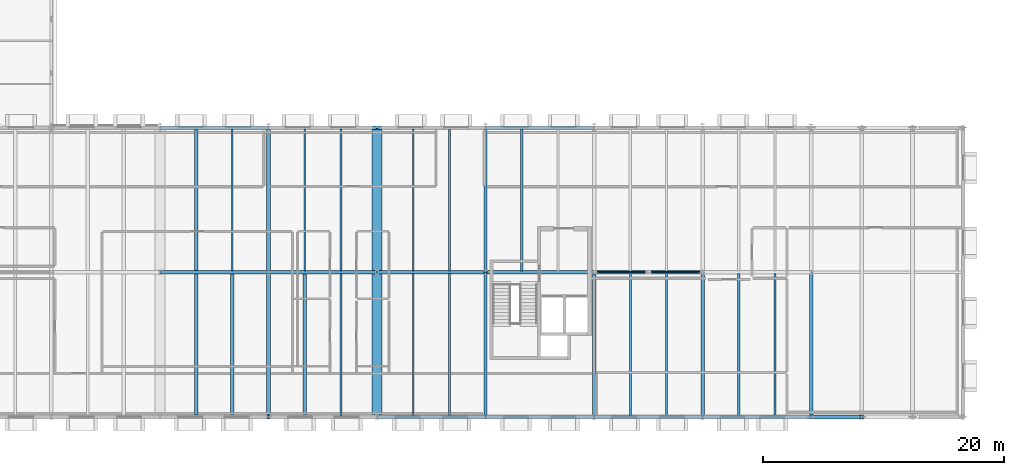
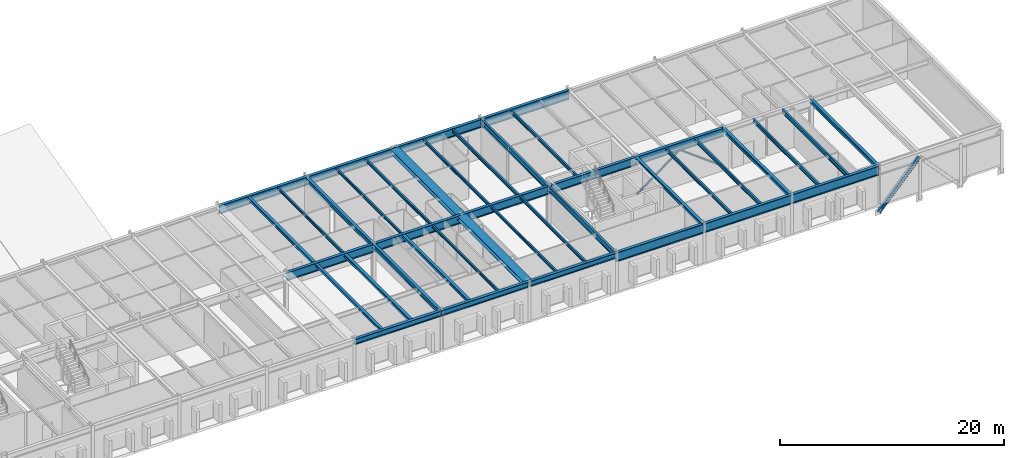
# One storey, part 18 of 67: 41 beams, 3 members.
"""IFC4 building model written with IfcOpenShell, lengths in metres."""

from ifc_helpers import new_model, si_unit, direction, frame, origin, origin_2d, place, context, subcontext, project, spatial, hollow_circle, i_section, extrude, material, material_profile, profile_set, type_object, element, save


model = new_model("IFC4")

# Units and contexts
model_context = context("Model", 3, precision=1e-05, world=origin(), true_north=direction((0.0, 1.0)))
body_context = subcontext(model_context, "Body", "Model", "MODEL_VIEW")
ifc_project = project(units=[si_unit("LENGTHUNIT", "METRE"), si_unit("AREAUNIT", "SQUARE_METRE"), si_unit("VOLUMEUNIT", "CUBIC_METRE"), si_unit("PLANEANGLEUNIT", "RADIAN"), si_unit("MASSUNIT", "GRAM", prefix="KILO")], contexts=[model_context])

# Site, building, storey
site_placement = place(None, origin())
site = spatial("IfcSite", under=ifc_project, at=site_placement, CompositionType="ELEMENT")
building_placement = place(site_placement, origin())
building = spatial("IfcBuilding", under=site, at=building_placement, Name="Montelvaro Courts of Justice", CompositionType="ELEMENT")
storey_placement = place(building_placement, frame((0.0, 0.0, 18.89990234375)))
storey = spatial("IfcBuildingStorey", under=building, at=storey_placement, Name="L04", CompositionType="ELEMENT", Elevation=18.89990234375)

# Beams
ifc_material = material(Name="Steel S355", Category="steel")
ifc_material_profile_1 = material_profile(ifc_material, i_section(OverallWidth=0.280029296875, OverallDepth=0.27001953125, WebThickness=0.008056640625, FlangeThickness=0.012939453125, at=origin_2d()), Name="HEA 280")
ifc_profile_set_1 = profile_set([ifc_material_profile_1], Name="Steel S355")
beam_type_1 = type_object("IfcBeamType", Name="Beam_HEA280", PredefinedType="BEAM", material=ifc_profile_set_1)
beam_1_placement = place(storey_placement, frame((84.0, 0.110107421875, 4.125), z_axis=(0.0, 1.0, 0.0), x_axis=(-1.0, 0.0, 0.0)))
element("IfcBeam", 1, at=beam_1_placement, inside=storey, type_object=beam_type_1, Name="Beam B-14 L04", PredefinedType="BEAM", context=body_context, shape_type="SweptSolid", body=[
    extrude(i_section(OverallWidth=0.280029296875, OverallDepth=0.27001953125, WebThickness=0.008056640625, FlangeThickness=0.012939453125, at=origin_2d()), origin(), (0.0, 0.0, 1.0), 11.77978515625),
])
ifc_material_profile_2 = material_profile(ifc_material, i_section(OverallWidth=0.300048828125, OverallDepth=0.31005859375, WebThickness=0.009033203125, FlangeThickness=0.015380859375, at=origin_2d()), Name="HEA 320")
ifc_profile_set_2 = profile_set([ifc_material_profile_2], Name="Steel S355")
beam_type_2 = type_object("IfcBeamType", Name="Beam_HEA320", PredefinedType="BEAM", material=ifc_profile_set_2)
for number, where, z_axis, x_axis, name in (
    (2, (87.0, 0.110107421875, 4.10498046875), (0.0, 1.0, 0.0), (-1.0, 0.0, 0.0), "Beam B-15 L04"),
    (3, (84.0, 12.110107421875, 4.10498046875), (0.0, 1.0, 0.0), (-1.0, 0.0, 0.0), "Beam B-15 L04"),
    (4, (93.0, 0.110107421875, 4.10498046875), (0.0, 1.0, 0.0), (-1.0, 0.0, 0.0), "Beam B-15 L04"),
):
    element("IfcBeam", number, at=place(storey_placement, frame(where, z_axis=z_axis, x_axis=x_axis)), inside=storey, type_object=beam_type_2, Name=name, PredefinedType="BEAM", context=body_context, shape_type="SweptSolid", body=[
        extrude(i_section(OverallWidth=0.300048828125, OverallDepth=0.31005859375, WebThickness=0.009033203125, FlangeThickness=0.015380859375, at=origin_2d()), origin(), (0.0, 0.0, 1.0), 11.77978515625),
    ])
ifc_material_profile_3 = material_profile(ifc_material, i_section(OverallWidth=0.300048828125, OverallDepth=0.35009765625, WebThickness=0.010009765625, FlangeThickness=0.017578125, at=origin_2d()), Name="HEA 360")
ifc_profile_set_3 = profile_set([ifc_material_profile_3], Name="Steel S355")
beam_type_3 = type_object("IfcBeamType", Name="Beam_HEA360", PredefinedType="USERDEFINED", material=ifc_profile_set_3)
beam_2_placement = place(storey_placement, frame((117.0, 0.0, 4.085205078125), z_axis=(0.0, 1.0, 0.0), x_axis=(-1.0, 0.0, 0.0)))
element("IfcBeam", 5, at=beam_2_placement, inside=storey, type_object=beam_type_3, Name="Beam B-16 L04", ObjectType="GIRDER", PredefinedType="USERDEFINED", context=body_context, shape_type="SweptSolid", body=[
    extrude(i_section(OverallWidth=0.300048828125, OverallDepth=0.35009765625, WebThickness=0.010009765625, FlangeThickness=0.017578125, at=origin_2d()), origin(), (0.0, 0.0, 1.0), 12.0),
])
ifc_material_profile_4 = material_profile(ifc_material, i_section(OverallWidth=0.300048828125, OverallDepth=0.389892578125, WebThickness=0.010986328125, FlangeThickness=0.01904296875, at=origin_2d()), Name="HEA 400")
ifc_profile_set_4 = profile_set([ifc_material_profile_4], Name="Steel S355")
beam_type_4 = type_object("IfcBeamType", Name="Beam_HEA400", PredefinedType="USERDEFINED", material=ifc_profile_set_4)
beam_3_placement = place(storey_placement, frame((126.0, 0.0, 4.065185546875), z_axis=(0.0, 1.0, 0.0), x_axis=(-1.0, 0.0, 0.0)))
element("IfcBeam", 6, at=beam_3_placement, inside=storey, type_object=beam_type_4, Name="Beam B-17 L04", ObjectType="GIRDER", PredefinedType="USERDEFINED", context=body_context, shape_type="SweptSolid", body=[
    extrude(i_section(OverallWidth=0.300048828125, OverallDepth=0.389892578125, WebThickness=0.010986328125, FlangeThickness=0.01904296875, at=origin_2d()), origin(), (0.0, 0.0, 1.0), 12.0),
])
ifc_material_profile_5 = material_profile(ifc_material, i_section(OverallWidth=0.300048828125, OverallDepth=0.43994140625, WebThickness=0.011474609375, FlangeThickness=0.02099609375, at=origin_2d()), Name="HEA 450")
ifc_profile_set_5 = profile_set([ifc_material_profile_5], Name="Steel S355")
beam_type_5 = type_object("IfcBeamType", Name="Beam_HEA450", PredefinedType="USERDEFINED", material=ifc_profile_set_5)
beam_4_placement = place(storey_placement, frame((135.0, 0.0, 4.0400390625), z_axis=(0.0, 1.0, 0.0), x_axis=(-1.0, 0.0, 0.0)))
element("IfcBeam", 7, at=beam_4_placement, inside=storey, type_object=beam_type_5, Name="Beam B-18 L04", ObjectType="GIRDER", PredefinedType="USERDEFINED", context=body_context, shape_type="SweptSolid", body=[
    extrude(i_section(OverallWidth=0.300048828125, OverallDepth=0.43994140625, WebThickness=0.011474609375, FlangeThickness=0.02099609375, at=origin_2d()), origin(), (0.0, 0.0, 1.0), 12.0),
])
ifc_material_profile_6 = material_profile(ifc_material, i_section(OverallWidth=0.300048828125, OverallDepth=0.489990234375, WebThickness=0.011962890625, FlangeThickness=0.02294921875, at=origin_2d()), Name="HEA 500")
ifc_profile_set_6 = profile_set([ifc_material_profile_6], Name="Steel S355")
beam_type_6 = type_object("IfcBeamType", Name="Beam_HEA500", PredefinedType="USERDEFINED", material=ifc_profile_set_6)
for number, where, z_axis, x_axis, name in (
    (8, (90.0, 0.0, 4.01513671875), (0.0, 1.0, 0.0), (-1.0, 0.0, 0.0), "Beam B-19 L04"),
    (9, (90.0, 12.0, 4.01513671875), (0.0, 1.0, 0.0), (-1.0, 0.0, 0.0), "Beam B-19 L04"),
):
    element("IfcBeam", number, at=place(storey_placement, frame(where, z_axis=z_axis, x_axis=x_axis)), inside=storey, type_object=beam_type_6, Name=name, ObjectType="GIRDER", PredefinedType="USERDEFINED", context=body_context, shape_type="SweptSolid", body=[
        extrude(i_section(OverallWidth=0.300048828125, OverallDepth=0.489990234375, WebThickness=0.011962890625, FlangeThickness=0.02294921875, at=origin_2d()), origin(), (0.0, 0.0, 1.0), 12.0),
    ])
ifc_material_profile_7 = material_profile(ifc_material, i_section(OverallWidth=0.300048828125, OverallDepth=0.60009765625, WebThickness=0.015380859375, FlangeThickness=0.030029296875, at=origin_2d()), Name="HEB 600")
ifc_profile_set_7 = profile_set([ifc_material_profile_7], Name="Steel S355")
beam_type_7 = type_object("IfcBeamType", Name="Beam_HEB600", PredefinedType="USERDEFINED", material=ifc_profile_set_7)
for number, where, z_axis, x_axis, name in (
    (10, (81.050048828125, 0.0, 3.960205078125), (1.0, 0.0, 0.0), (0.0, 1.0, 0.0), "Beam B-26 L04"),
    (11, (90.0, 0.0, 3.960205078125), (1.0, 0.0, 0.0), (0.0, 1.0, 0.0), "Beam B-26 L04"),
    (12, (99.050048828125, 0.0, 3.960205078125), (1.0, 0.0, 0.0), (0.0, 1.0, 0.0), "Beam B-26 L04"),
):
    element("IfcBeam", number, at=place(storey_placement, frame(where, z_axis=z_axis, x_axis=x_axis)), inside=storey, type_object=beam_type_7, Name=name, ObjectType="GIRDER", PredefinedType="USERDEFINED", context=body_context, shape_type="SweptSolid", body=[
        extrude(i_section(OverallWidth=0.300048828125, OverallDepth=0.60009765625, WebThickness=0.015380859375, FlangeThickness=0.030029296875, at=origin_2d()), origin(), (0.0, 0.0, 1.0), 8.949951171875),
    ])
ifc_material_profile_8 = material_profile(ifc_material, i_section(OverallWidth=0.300048828125, OverallDepth=0.89990234375, WebThickness=0.0185546875, FlangeThickness=0.034912109375, at=origin_2d()), Name="HEB 900")
ifc_profile_set_8 = profile_set([ifc_material_profile_8], Name="Steel S355")
beam_type_8 = type_object("IfcBeamType", Name="Beam_HEB900", PredefinedType="USERDEFINED", material=ifc_profile_set_8)
for number, where, z_axis, x_axis, name in (
    (13, (81.050048828125, 12.0, 3.81005859375), (1.0, 0.0, 0.0), (0.0, 1.0, 0.0), "Beam B-30 L04"),
    (14, (90.0, 12.0, 3.81005859375), (1.0, 0.0, 0.0), (0.0, 1.0, 0.0), "Beam B-30 L04"),
    (15, (99.050048828125, 12.0, 3.81005859375), (1.0, 0.0, 0.0), (0.0, 1.0, 0.0), "Beam B-30 L04"),
):
    element("IfcBeam", number, at=place(storey_placement, frame(where, z_axis=z_axis, x_axis=x_axis)), inside=storey, type_object=beam_type_8, Name=name, ObjectType="GIRDER", PredefinedType="USERDEFINED", context=body_context, shape_type="SweptSolid", body=[
        extrude(i_section(OverallWidth=0.300048828125, OverallDepth=0.89990234375, WebThickness=0.0185546875, FlangeThickness=0.034912109375, at=origin_2d()), origin(), (0.0, 0.0, 1.0), 8.949951171875),
    ])
for number, where, z_axis, x_axis, name in (
    (16, (108.0, 12.0, 3.81005859375), (1.0, 0.0, 0.0), (0.0, 1.0, 0.0), "Beam B-30 L04"),
    (17, (117.0, 12.0, 3.81005859375), (1.0, 0.0, 0.0), (0.0, 1.0, 0.0), "Beam B-30 L04"),
):
    element("IfcBeam", number, at=place(storey_placement, frame(where, z_axis=z_axis, x_axis=x_axis)), inside=storey, type_object=beam_type_8, Name=name, ObjectType="GIRDER", PredefinedType="USERDEFINED", context=body_context, shape_type="SweptSolid", body=[
        extrude(i_section(OverallWidth=0.300048828125, OverallDepth=0.89990234375, WebThickness=0.0185546875, FlangeThickness=0.034912109375, at=origin_2d()), origin(), (0.0, 0.0, 1.0), 9.0),
    ])
ifc_material_profile_9 = material_profile(ifc_material, i_section(OverallWidth=0.302001953125, OverallDepth=1.008056640625, WebThickness=0.02099609375, FlangeThickness=0.0400390625, at=origin_2d()), Name="HEM 1000")
ifc_profile_set_9 = profile_set([ifc_material_profile_9], Name="Steel S355")
beam_type_9 = type_object("IfcBeamType", Name="Beam_HEM1000", PredefinedType="USERDEFINED", material=ifc_profile_set_9)
for number, where, z_axis, x_axis, name in (
    (18, (108.0, 0.0, 3.756103515625), (1.0, 0.0, 0.0), (0.0, 1.0, 0.0), "Pratt Cantilever Truss Chord CTR-BAR2-S-L05-BS1"),
    (19, (117.0, 0.0, 3.756103515625), (1.0, 0.0, 0.0), (0.0, 1.0, 0.0), "Pratt Cantilever Truss Chord CTR-BAR2-S-L05-BS2"),
    (20, (126.0, 0.0, 3.756103515625), (1.0, 0.0, 0.0), (0.0, 1.0, 0.0), "Pratt Cantilever Truss Chord CTR-BAR2-S-L05-BS3"),
    (21, (108.0, 24.0, 3.756103515625), (1.0, 0.0, 0.0), (0.0, 1.0, 0.0), "Pratt Cantilever Truss Chord CTR-BAR2-N-L05-BS1"),
):
    element("IfcBeam", number, at=place(storey_placement, frame(where, z_axis=z_axis, x_axis=x_axis)), inside=storey, type_object=beam_type_9, Name=name, ObjectType="GIRDER", PredefinedType="USERDEFINED", context=body_context, shape_type="SweptSolid", body=[
        extrude(i_section(OverallWidth=0.302001953125, OverallDepth=1.008056640625, WebThickness=0.02099609375, FlangeThickness=0.0400390625, at=origin_2d()), origin(), (0.0, 0.0, 1.0), 9.0),
    ])
ifc_material_profile_10 = material_profile(ifc_material, i_section(OverallWidth=0.302001953125, OverallDepth=0.909912109375, WebThickness=0.02099609375, FlangeThickness=0.0400390625, at=origin_2d()), Name="HEM 900")
ifc_profile_set_10 = profile_set([ifc_material_profile_10], Name="Steel S355")
beam_type_10 = type_object("IfcBeamType", Name="Beam_HEM900", PredefinedType="USERDEFINED", material=ifc_profile_set_10)
for number, where, z_axis, x_axis, name in (
    (22, (81.050048828125, 24.0, 3.80517578125), (1.0, 0.0, 0.0), (0.0, 1.0, 0.0), "Beam B-31 L04"),
    (23, (90.0, 24.0, 3.80517578125), (1.0, 0.0, 0.0), (0.0, 1.0, 0.0), "Beam B-31 L04"),
    (24, (99.050048828125, 24.0, 3.80517578125), (1.0, 0.0, 0.0), (0.0, 1.0, 0.0), "Beam B-31 L04"),
):
    element("IfcBeam", number, at=place(storey_placement, frame(where, z_axis=z_axis, x_axis=x_axis)), inside=storey, type_object=beam_type_10, Name=name, ObjectType="GIRDER", PredefinedType="USERDEFINED", context=body_context, shape_type="SweptSolid", body=[
        extrude(i_section(OverallWidth=0.302001953125, OverallDepth=0.909912109375, WebThickness=0.02099609375, FlangeThickness=0.0400390625, at=origin_2d()), origin(), (0.0, 0.0, 1.0), 8.949951171875),
    ])
ifc_material_profile_11 = material_profile(ifc_material, i_section(OverallWidth=0.14990234375, OverallDepth=0.300048828125, WebThickness=0.007080078125, FlangeThickness=0.0107421875, at=origin_2d()), Name="IPE 300")
ifc_profile_set_11 = profile_set([ifc_material_profile_11], Name="Steel S355")
beam_type_11 = type_object("IfcBeamType", Name="Beam_IPE300", PredefinedType="BEAM", material=ifc_profile_set_11)
for number, where, z_axis, x_axis, name in (
    (25, (87.0, 12.110107421875, 4.110107421875), (0.0, 1.0, 0.0), (-1.0, 0.0, 0.0), "Beam B-05 L04"),
    (26, (96.0, 0.110107421875, 4.110107421875), (0.0, 1.0, 0.0), (-1.0, 0.0, 0.0), "Beam B-05 L04"),
    (27, (93.0, 12.110107421875, 4.110107421875), (0.0, 1.0, 0.0), (-1.0, 0.0, 0.0), "Beam B-05 L04"),
    (28, (102.0, 0.110107421875, 4.110107421875), (0.0, 1.0, 0.0), (-1.0, 0.0, 0.0), "Beam B-05 L04"),
):
    element("IfcBeam", number, at=place(storey_placement, frame(where, z_axis=z_axis, x_axis=x_axis)), inside=storey, type_object=beam_type_11, Name=name, PredefinedType="BEAM", context=body_context, shape_type="SweptSolid", body=[
        extrude(i_section(OverallWidth=0.14990234375, OverallDepth=0.300048828125, WebThickness=0.007080078125, FlangeThickness=0.0107421875, at=origin_2d()), origin(), (0.0, 0.0, 1.0), 11.77978515625),
    ])
ifc_material_profile_12 = material_profile(ifc_material, i_section(OverallWidth=0.159912109375, OverallDepth=0.330078125, WebThickness=0.007568359375, FlangeThickness=0.011474609375, at=origin_2d()), Name="IPE 330")
ifc_profile_set_12 = profile_set([ifc_material_profile_12], Name="Steel S355")
beam_type_12 = type_object("IfcBeamType", Name="Beam_IPE330", PredefinedType="BEAM", material=ifc_profile_set_12)
for number, where, z_axis, x_axis, name in (
    (29, (96.0, 12.110107421875, 4.09521484375), (0.0, 1.0, 0.0), (-1.0, 0.0, 0.0), "Beam B-06 L04"),
    (30, (105.0, 0.110107421875, 4.09521484375), (0.0, 1.0, 0.0), (-1.0, 0.0, 0.0), "Beam B-06 L04"),
    (31, (102.0, 12.110107421875, 4.09521484375), (0.0, 1.0, 0.0), (-1.0, 0.0, 0.0), "Beam B-06 L04"),
):
    element("IfcBeam", number, at=place(storey_placement, frame(where, z_axis=z_axis, x_axis=x_axis)), inside=storey, type_object=beam_type_12, Name=name, PredefinedType="BEAM", context=body_context, shape_type="SweptSolid", body=[
        extrude(i_section(OverallWidth=0.159912109375, OverallDepth=0.330078125, WebThickness=0.007568359375, FlangeThickness=0.011474609375, at=origin_2d()), origin(), (0.0, 0.0, 1.0), 11.77978515625),
    ])
ifc_material_profile_13 = material_profile(ifc_material, i_section(OverallWidth=0.169921875, OverallDepth=0.360107421875, WebThickness=0.008056640625, FlangeThickness=0.0126953125, at=origin_2d()), Name="IPE 360")
ifc_profile_set_13 = profile_set([ifc_material_profile_13], Name="Steel S355")
beam_type_13 = type_object("IfcBeamType", Name="Beam_IPE360", PredefinedType="BEAM", material=ifc_profile_set_13)
for number, where, z_axis, x_axis, name in (
    (32, (105.0, 12.110107421875, 4.080078125), (0.0, 1.0, 0.0), (-1.0, 0.0, 0.0), "Beam B-07 L04"),
    (33, (111.0, 12.110107421875, 4.080078125), (0.0, 1.0, 0.0), (-1.0, 0.0, 0.0), "Beam B-07 L04"),
    (34, (120.0, 0.110107421875, 4.080078125), (0.0, 1.0, 0.0), (-1.0, 0.0, 0.0), "Beam B-07 L04"),
):
    element("IfcBeam", number, at=place(storey_placement, frame(where, z_axis=z_axis, x_axis=x_axis)), inside=storey, type_object=beam_type_13, Name=name, PredefinedType="BEAM", context=body_context, shape_type="SweptSolid", body=[
        extrude(i_section(OverallWidth=0.169921875, OverallDepth=0.360107421875, WebThickness=0.008056640625, FlangeThickness=0.0126953125, at=origin_2d()), origin(), (0.0, 0.0, 1.0), 11.77978515625),
    ])
ifc_material_profile_14 = material_profile(ifc_material, i_section(OverallWidth=0.179931640625, OverallDepth=0.39990234375, WebThickness=0.008544921875, FlangeThickness=0.013427734375, at=origin_2d()), Name="IPE 400")
ifc_profile_set_14 = profile_set([ifc_material_profile_14], Name="Steel S355")
beam_type_14 = type_object("IfcBeamType", Name="Beam_IPE400", PredefinedType="BEAM", material=ifc_profile_set_14)
for number, where, z_axis, x_axis, name in (
    (35, (123.0, 0.110107421875, 4.06005859375), (0.0, 1.0, 0.0), (-1.0, 0.0, 0.0), "Beam B-08 L04"),
    (36, (129.0, 0.110107421875, 4.06005859375), (0.0, 1.0, 0.0), (-1.0, 0.0, 0.0), "Beam B-08 L04"),
):
    element("IfcBeam", number, at=place(storey_placement, frame(where, z_axis=z_axis, x_axis=x_axis)), inside=storey, type_object=beam_type_14, Name=name, PredefinedType="BEAM", context=body_context, shape_type="SweptSolid", body=[
        extrude(i_section(OverallWidth=0.179931640625, OverallDepth=0.39990234375, WebThickness=0.008544921875, FlangeThickness=0.013427734375, at=origin_2d()), origin(), (0.0, 0.0, 1.0), 11.77978515625),
    ])
ifc_material_profile_15 = material_profile(ifc_material, i_section(OverallWidth=0.18994140625, OverallDepth=0.449951171875, WebThickness=0.009521484375, FlangeThickness=0.0146484375, at=origin_2d()), Name="IPE 450")
ifc_profile_set_15 = profile_set([ifc_material_profile_15], Name="Steel S355")
beam_type_15 = type_object("IfcBeamType", Name="Beam_IPE450", PredefinedType="BEAM", material=ifc_profile_set_15)
beam_5_placement = place(storey_placement, frame((132.0, 0.110107421875, 4.03515625), z_axis=(0.0, 1.0, 0.0), x_axis=(-1.0, 0.0, 0.0)))
element("IfcBeam", 37, at=beam_5_placement, inside=storey, type_object=beam_type_15, Name="Beam B-09 L04", PredefinedType="BEAM", context=body_context, shape_type="SweptSolid", body=[
    extrude(i_section(OverallWidth=0.18994140625, OverallDepth=0.449951171875, WebThickness=0.009521484375, FlangeThickness=0.0146484375, at=origin_2d()), origin(), (0.0, 0.0, 1.0), 11.77978515625),
])
ifc_material_profile_16 = material_profile(ifc_material, i_section(OverallWidth=0.219970703125, OverallDepth=0.60009765625, WebThickness=0.011962890625, FlangeThickness=0.01904296875, at=origin_2d()), Name="IPE 600")
ifc_profile_set_16 = profile_set([ifc_material_profile_16], Name="Steel S355")
beam_type_16 = type_object("IfcBeamType", Name="Beam_IPE600", PredefinedType="USERDEFINED", material=ifc_profile_set_16)
for number, where, z_axis, x_axis, name in (
    (38, (108.0, 0.0, 3.960205078125), (0.0, 1.0, 0.0), (-1.0, 0.0, 0.0), "Beam B-12 L04"),
    (39, (108.0, 12.0, 3.960205078125), (0.0, 1.0, 0.0), (-1.0, 0.0, 0.0), "Beam B-12 L04"),
):
    element("IfcBeam", number, at=place(storey_placement, frame(where, z_axis=z_axis, x_axis=x_axis)), inside=storey, type_object=beam_type_16, Name=name, ObjectType="GIRDER", PredefinedType="USERDEFINED", context=body_context, shape_type="SweptSolid", body=[
        extrude(i_section(OverallWidth=0.219970703125, OverallDepth=0.60009765625, WebThickness=0.011962890625, FlangeThickness=0.01904296875, at=origin_2d()), origin(), (0.0, 0.0, 1.0), 12.0),
    ])
ifc_material_profile_17 = material_profile(ifc_material, i_section(OverallWidth=0.860107421875, OverallDepth=0.47998046875, WebThickness=0.02001953125, FlangeThickness=0.031982421875, at=origin_2d()), Name="HL 480x860")
ifc_profile_set_17 = profile_set([ifc_material_profile_17], Name="Steel S355")
beam_type_17 = type_object("IfcBeamType", Name="Beam_MJSeat_860", PredefinedType="USERDEFINED", material=ifc_profile_set_17)
for number, where, z_axis, x_axis, name in (
    (40, (99.0, 0.0, 4.02001953125), (0.0, 1.0, 0.0), (-1.0, 0.0, 0.0), "Beam BC-01 L04"),
    (41, (99.0, 12.0, 4.02001953125), (0.0, 1.0, 0.0), (-1.0, 0.0, 0.0), "Beam BC-01 L04"),
):
    element("IfcBeam", number, at=place(storey_placement, frame(where, z_axis=z_axis, x_axis=x_axis)), inside=storey, type_object=beam_type_17, Name=name, ObjectType="GIRDER", PredefinedType="USERDEFINED", context=body_context, shape_type="SweptSolid", body=[
        extrude(i_section(OverallWidth=0.860107421875, OverallDepth=0.47998046875, WebThickness=0.02001953125, FlangeThickness=0.031982421875, at=origin_2d()), origin(), (0.0, 0.0, 1.0), 12.0),
    ])

# Members
ifc_material_profile_18 = material_profile(ifc_material, hollow_circle(Radius=0.109619140625, WallThickness=0.010009765625, at=origin_2d()), Name="CHS 219.1x10")
ifc_profile_set_18 = profile_set([ifc_material_profile_18], Name="Steel S355")
member_type_1 = type_object("IfcMemberType", Name="Mem_CHS219_Brace", PredefinedType="BRACE", material=ifc_profile_set_18)
for number, where, z_axis, x_axis, name in (
    (42, (117.080078125, 12.0, 0.080078125), (0.801294084563, 0.0, 0.598270666208), (0.0, 1.0, 0.0), "Lateral Braced Frame CBF2 Diagonal 1 (L04)"),
    (43, (125.919921875, 12.0, 0.080078125), (-0.801294084563, 0.0, 0.598270666208), (0.0, -1.0, 0.0), "Lateral Braced Frame CBF2 Diagonal 2 (L04)"),
):
    element("IfcMember", number, at=place(storey_placement, frame(where, z_axis=z_axis, x_axis=x_axis)), inside=storey, type_object=member_type_1, Name=name, PredefinedType="BRACE", context=body_context, shape_type="SweptSolid", body=[
        extrude(hollow_circle(Radius=0.109619140625, WallThickness=0.010009765625, at=origin_2d()), origin(), (0.0, 0.0, 1.0), 5.515869140625),
    ])
ifc_material_profile_19 = material_profile(ifc_material, i_section(OverallWidth=0.300048828125, OverallDepth=0.360107421875, WebThickness=0.012451171875, FlangeThickness=0.0224609375, at=origin_2d()), Name="HEB 360")
ifc_profile_set_19 = profile_set([ifc_material_profile_19], Name="Steel S355")
member_type_2 = type_object("IfcMemberType", Name="Mem_HEB360_Brace", PredefinedType="BRACE", material=ifc_profile_set_19)
member_placement = place(storey_placement, frame((135.0, 0.0, -0.823974609375), z_axis=(0.675859824845, 0.0, 0.737030187415), x_axis=(0.0, 1.0, 0.0)))
element("IfcMember", 44, at=member_placement, inside=storey, type_object=member_type_2, Name="Pratt Cantilever Truss Diagonal MB-01 CTR-BAR2-S-L04-D4", PredefinedType="BRACE", context=body_context, shape_type="SweptSolid", body=[
    extrude(i_section(OverallWidth=0.300048828125, OverallDepth=0.360107421875, WebThickness=0.012451171875, FlangeThickness=0.0224609375, at=origin_2d()), origin(), (0.0, 0.0, 1.0), 6.21435546875),
])

save(model, "model.ifc")
